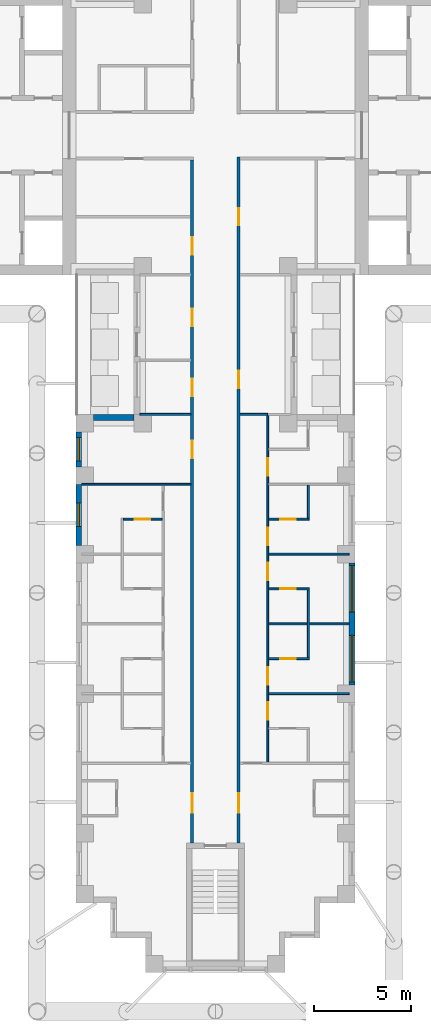
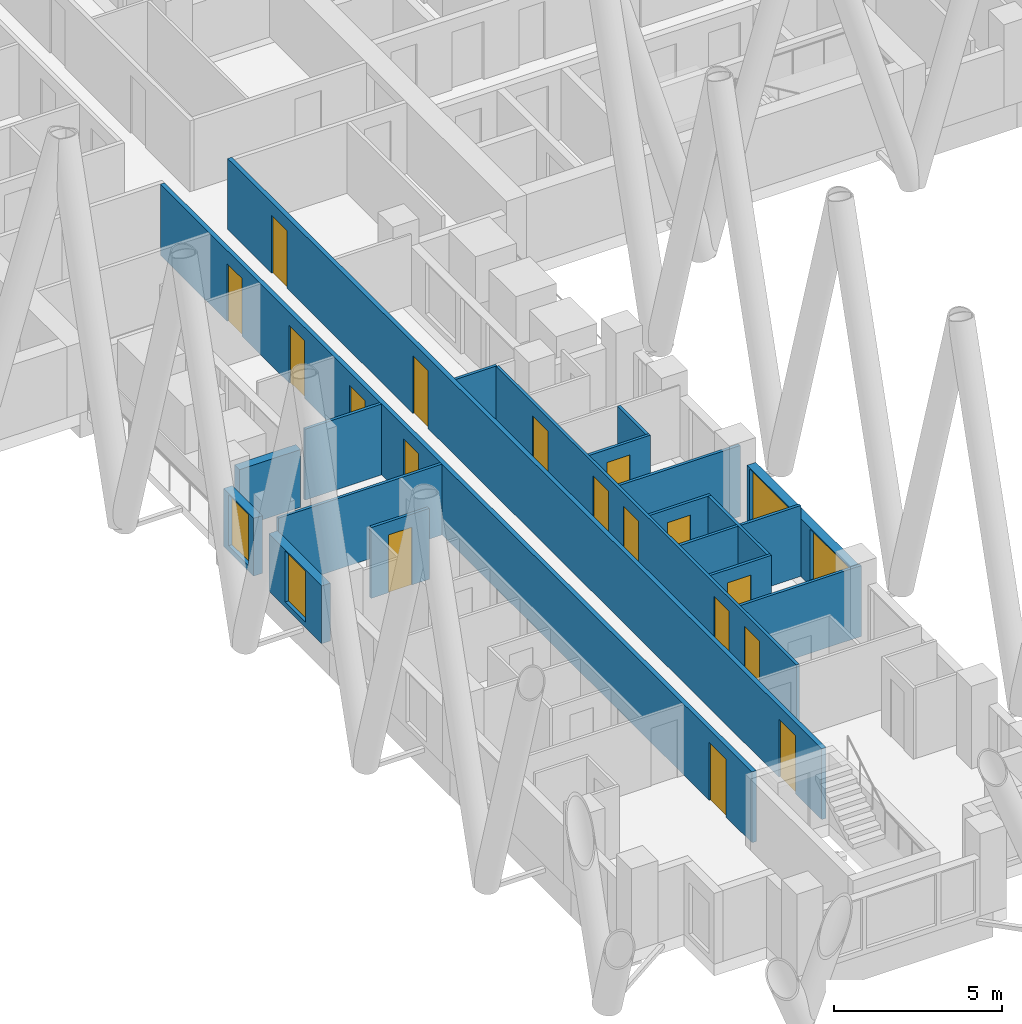
# One storey, part 5 of 16: 19 walls, 17 doors, 4 windows, 21 openings.
"""IFC4 building model written with IfcOpenShell, lengths in metres."""

from ifc_helpers import new_model, si_unit, direction, frame, frame_2d, origin, place, context, subcontext, project, spatial, rectangle, extrude, material, layer, layer_set, type_object, element, fill, save


model = new_model("IFC4")

# Units and contexts
model_context = context("Model", 3, precision=1e-05, world=origin(), true_north=direction((0.0, 1.0)))
body_context = subcontext(model_context, "Body", "Model", "MODEL_VIEW")
ifc_project = project(units=[si_unit("LENGTHUNIT", "METRE"), si_unit("AREAUNIT", "SQUARE_METRE"), si_unit("VOLUMEUNIT", "CUBIC_METRE"), si_unit("PLANEANGLEUNIT", "RADIAN"), si_unit("MASSUNIT", "GRAM", prefix="KILO")], contexts=[model_context])

# Site, building, storey
site_placement = place(None, origin())
site = spatial("IfcSite", under=ifc_project, at=site_placement, CompositionType="ELEMENT")
building_placement = place(site_placement, origin())
building = spatial("IfcBuilding", under=site, at=building_placement, Name="Fustian Cross Tower", CompositionType="ELEMENT")
storey_placement = place(building_placement, frame((0.0, 0.0, 20.699951171875)))
storey = spatial("IfcBuildingStorey", under=building, at=storey_placement, Name="L05", CompositionType="ELEMENT", Elevation=20.699951171875)

# Wall, openings, doors
ifc_material_1 = material(Name="Plasterboard on steel stud", Category="steel")
ifc_layer_1 = layer(ifc_material_1, 0.14990234375)
ifc_layer_set_1 = layer_set([ifc_layer_1], Name="Plasterboard on steel stud")
wall_type_1 = type_object("IfcWallType", Name="COMPARTMENT WALL 150 EI 60", PredefinedType="PARTITIONING", material=ifc_layer_set_1)
wall_1_placement = place(storey_placement, frame((-1.199951171875, -36.5, 0.0), z_axis=(0.0, 0.0, 1.0), x_axis=(0.0, 1.0, 0.0)))
wall_1 = element("IfcWall", 1, at=wall_1_placement, inside=storey, type_object=wall_type_1, Name="Partition 51", PredefinedType="PARTITIONING", context=body_context, shape_type="SweptSolid", body=[
    extrude(rectangle(XDim=35.22509765625, YDim=0.14990234375, at=frame_2d((17.612548828125, 0.0))), origin(), (0.0, 0.0, 1.0), 2.574951171875),
])
opening_1_placement = place(wall_1_placement, frame((30.35009765625, 0.0, 0.0)))
opening_1 = element("IfcOpeningElement", 2, at=opening_1_placement, cuts=wall_1, Name="Opening D05009", PredefinedType="OPENING", context=body_context, shape_type="SweptSolid", body=[
    extrude(rectangle(XDim=0.89990234375, YDim=2.10009765625, at=frame_2d((0.449951171875, 1.050048828125))), frame((0.0, 0.0849609375, 0.0), z_axis=(0.0, -1.0, 0.0), x_axis=(1.0, 0.0, 0.0)), (0.0, 0.0, 1.0), 0.169921875),
])
opening_2_placement = place(wall_1_placement, frame((23.050048828125, 0.0, 0.0)))
opening_2 = element("IfcOpeningElement", 3, at=opening_2_placement, cuts=wall_1, Name="Opening D05064", PredefinedType="OPENING", context=body_context, shape_type="SweptSolid", body=[
    extrude(rectangle(XDim=0.89990234375, YDim=2.10009765625, at=frame_2d((0.449951171875, 1.050048828125))), frame((0.0, 0.0849609375, 0.0), z_axis=(0.0, -1.0, 0.0), x_axis=(1.0, 0.0, 0.0)), (0.0, 0.0, 1.0), 0.169921875),
])
opening_3_placement = place(wall_1_placement, frame((26.64990234375, 0.0, 0.0)))
opening_3 = element("IfcOpeningElement", 4, at=opening_3_placement, cuts=wall_1, Name="Opening D05065", PredefinedType="OPENING", context=body_context, shape_type="SweptSolid", body=[
    extrude(rectangle(XDim=0.89990234375, YDim=2.10009765625, at=frame_2d((0.449951171875, 1.050048828125))), frame((0.0, 0.0849609375, 0.0), z_axis=(0.0, -1.0, 0.0), x_axis=(1.0, 0.0, 0.0)), (0.0, 0.0, 1.0), 0.169921875),
])
opening_4_placement = place(wall_1_placement, frame((19.85009765625, 0.0, 0.0)))
opening_4 = element("IfcOpeningElement", 5, at=opening_4_placement, cuts=wall_1, Name="Opening D05066", PredefinedType="OPENING", context=body_context, shape_type="SweptSolid", body=[
    extrude(rectangle(XDim=0.89990234375, YDim=2.10009765625, at=frame_2d((0.449951171875, 1.050048828125))), frame((0.0, 0.0849609375, 0.0), z_axis=(0.0, -1.0, 0.0), x_axis=(1.0, 0.0, 0.0)), (0.0, 0.0, 1.0), 0.169921875),
])
opening_5_placement = place(wall_1_placement, frame((1.550048828125, 0.0, 0.0)))
opening_5 = element("IfcOpeningElement", 6, at=opening_5_placement, cuts=wall_1, Name="Opening D05068", PredefinedType="OPENING", context=body_context, shape_type="SweptSolid", body=[
    extrude(rectangle(XDim=1.0, YDim=2.10009765625, at=frame_2d((0.5, 1.050048828125))), frame((0.0, 0.0849609375, 0.0), z_axis=(0.0, -1.0, 0.0), x_axis=(1.0, 0.0, 0.0)), (0.0, 0.0, 1.0), 0.169921875),
])
ifc_material_2 = material(Name="Timber fire door set", Category="wood")
door_type_1 = type_object("IfcDoorType", Name="FIRE SWING DOOR 1000 FD30S", OperationType="SINGLE_SWING_LEFT", PredefinedType="DOOR", material=ifc_material_2)
door_1_placement = place(opening_5_placement, origin())
door_1 = element("IfcDoor", 7, at=door_1_placement, inside=storey, type_object=door_type_1, Name="Door D05068", OperationType="SINGLE_SWING_RIGHT", OverallHeight=2.10009765625, OverallWidth=1.0, PredefinedType="DOOR", context=body_context, shape_type="SweptSolid", body=[
    extrude(rectangle(XDim=1.0, YDim=2.10009765625, at=frame_2d((0.5, 1.050048828125))), frame((0.0, 0.02490234375, 0.0), z_axis=(0.0, -1.0, 0.0), x_axis=(1.0, 0.0, 0.0)), (0.0, 0.0, 1.0), 0.050048828125),
])
fill(opening_5, door_1)
ifc_material_3 = material(Name="Timber fire door set", Category="wood")
door_type_2 = type_object("IfcDoorType", Name="FIRE SWING DOOR 900 FD30S", OperationType="SINGLE_SWING_LEFT", PredefinedType="DOOR", material=ifc_material_3)
door_2_placement = place(opening_1_placement, origin())
door_2 = element("IfcDoor", 8, at=door_2_placement, inside=storey, type_object=door_type_2, Name="Door D05009", OperationType="SINGLE_SWING_RIGHT", OverallHeight=2.10009765625, OverallWidth=0.89990234375, PredefinedType="DOOR", context=body_context, shape_type="SweptSolid", body=[
    extrude(rectangle(XDim=0.89990234375, YDim=2.10009765625, at=frame_2d((0.449951171875, 1.050048828125))), frame((0.0, 0.02490234375, 0.0), z_axis=(0.0, -1.0, 0.0), x_axis=(1.0, 0.0, 0.0)), (0.0, 0.0, 1.0), 0.050048828125),
])
fill(opening_1, door_2)
door_3_placement = place(opening_2_placement, origin())
door_3 = element("IfcDoor", 9, at=door_3_placement, inside=storey, type_object=door_type_2, Name="Door D05064", OperationType="SINGLE_SWING_LEFT", OverallHeight=2.10009765625, OverallWidth=0.89990234375, PredefinedType="DOOR", context=body_context, shape_type="SweptSolid", body=[
    extrude(rectangle(XDim=0.89990234375, YDim=2.10009765625, at=frame_2d((0.449951171875, 1.050048828125))), frame((0.0, 0.02490234375, 0.0), z_axis=(0.0, -1.0, 0.0), x_axis=(1.0, 0.0, 0.0)), (0.0, 0.0, 1.0), 0.050048828125),
])
fill(opening_2, door_3)
door_4_placement = place(opening_3_placement, origin())
door_4 = element("IfcDoor", 10, at=door_4_placement, inside=storey, type_object=door_type_2, Name="Door D05065", OperationType="SINGLE_SWING_LEFT", OverallHeight=2.10009765625, OverallWidth=0.89990234375, PredefinedType="DOOR", context=body_context, shape_type="SweptSolid", body=[
    extrude(rectangle(XDim=0.89990234375, YDim=2.10009765625, at=frame_2d((0.449951171875, 1.050048828125))), frame((0.0, 0.02490234375, 0.0), z_axis=(0.0, -1.0, 0.0), x_axis=(1.0, 0.0, 0.0)), (0.0, 0.0, 1.0), 0.050048828125),
])
fill(opening_3, door_4)
door_5_placement = place(opening_4_placement, origin())
door_5 = element("IfcDoor", 11, at=door_5_placement, inside=storey, type_object=door_type_2, Name="Door D05066", OperationType="SINGLE_SWING_LEFT", OverallHeight=2.10009765625, OverallWidth=0.89990234375, PredefinedType="DOOR", context=body_context, shape_type="SweptSolid", body=[
    extrude(rectangle(XDim=0.89990234375, YDim=2.10009765625, at=frame_2d((0.449951171875, 1.050048828125))), frame((0.0, 0.02490234375, 0.0), z_axis=(0.0, -1.0, 0.0), x_axis=(1.0, 0.0, 0.0)), (0.0, 0.0, 1.0), 0.050048828125),
])
fill(opening_4, door_5)

wall_2_placement = place(storey_placement, frame((1.199951171875, -36.5, 0.0), z_axis=(0.0, 0.0, 1.0), x_axis=(0.0, 1.0, 0.0)))
wall_2 = element("IfcWall", 12, at=wall_2_placement, inside=storey, type_object=wall_type_1, Name="Partition 53", PredefinedType="PARTITIONING", context=body_context, shape_type="SweptSolid", body=[
    extrude(rectangle(XDim=35.375, YDim=0.14990234375, at=frame_2d((17.6875, 0.0))), origin(), (0.0, 0.0, 1.0), 2.574951171875),
])
opening_6_placement = place(wall_2_placement, frame((31.85009765625, 0.0, 0.0)))
opening_6 = element("IfcOpeningElement", 13, at=opening_6_placement, cuts=wall_2, Name="Opening D05006", PredefinedType="OPENING", context=body_context, shape_type="SweptSolid", body=[
    extrude(rectangle(XDim=0.89990234375, YDim=2.10009765625, at=frame_2d((0.449951171875, 1.050048828125))), frame((0.0, 0.0849609375, 0.0), z_axis=(0.0, -1.0, 0.0), x_axis=(1.0, 0.0, 0.0)), (0.0, 0.0, 1.0), 0.169921875),
])
opening_7_placement = place(wall_2_placement, frame((23.449951171875, 0.0, 0.0)))
opening_7 = element("IfcOpeningElement", 14, at=opening_7_placement, cuts=wall_2, Name="Opening D05050", PredefinedType="OPENING", context=body_context, shape_type="SweptSolid", body=[
    extrude(rectangle(XDim=0.89990234375, YDim=2.10009765625, at=frame_2d((0.449951171875, 1.050048828125))), frame((0.0, 0.0849609375, 0.0), z_axis=(0.0, -1.0, 0.0), x_axis=(1.0, 0.0, 0.0)), (0.0, 0.0, 1.0), 0.169921875),
])
opening_8_placement = place(wall_2_placement, frame((1.550048828125, 0.0, 0.0)))
opening_8 = element("IfcOpeningElement", 15, at=opening_8_placement, cuts=wall_2, Name="Opening D05052", PredefinedType="OPENING", context=body_context, shape_type="SweptSolid", body=[
    extrude(rectangle(XDim=1.0, YDim=2.10009765625, at=frame_2d((0.5, 1.050048828125))), frame((0.0, 0.0849609375, 0.0), z_axis=(0.0, -1.0, 0.0), x_axis=(1.0, 0.0, 0.0)), (0.0, 0.0, 1.0), 0.169921875),
])
door_6_placement = place(opening_8_placement, frame((1.0, 0.0, 0.0), z_axis=(0.0, 0.0, 1.0), x_axis=(-1.0, 0.0, 0.0)))
door_6 = element("IfcDoor", 16, at=door_6_placement, inside=storey, type_object=door_type_1, Name="Door D05052", OperationType="SINGLE_SWING_LEFT", OverallHeight=2.10009765625, OverallWidth=1.0, PredefinedType="DOOR", context=body_context, shape_type="SweptSolid", body=[
    extrude(rectangle(XDim=1.0, YDim=2.10009765625, at=frame_2d((0.5, 1.050048828125))), frame((0.0, 0.02490234375, 0.0), z_axis=(0.0, -1.0, 0.0), x_axis=(1.0, 0.0, 0.0)), (0.0, 0.0, 1.0), 0.050048828125),
])
fill(opening_8, door_6)
door_7_placement = place(opening_6_placement, frame((0.89990234375, 0.0, 0.0), z_axis=(0.0, 0.0, 1.0), x_axis=(-1.0, 0.0, 0.0)))
door_7 = element("IfcDoor", 17, at=door_7_placement, inside=storey, type_object=door_type_2, Name="Door D05006", OperationType="SINGLE_SWING_RIGHT", OverallHeight=2.10009765625, OverallWidth=0.89990234375, PredefinedType="DOOR", context=body_context, shape_type="SweptSolid", body=[
    extrude(rectangle(XDim=0.89990234375, YDim=2.10009765625, at=frame_2d((0.449951171875, 1.050048828125))), frame((0.0, 0.02490234375, 0.0), z_axis=(0.0, -1.0, 0.0), x_axis=(1.0, 0.0, 0.0)), (0.0, 0.0, 1.0), 0.050048828125),
])
fill(opening_6, door_7)
door_8_placement = place(opening_7_placement, frame((0.89990234375, 0.0, 0.0), z_axis=(0.0, 0.0, 1.0), x_axis=(-1.0, 0.0, 0.0)))
door_8 = element("IfcDoor", 18, at=door_8_placement, inside=storey, type_object=door_type_2, Name="Door D05050", OperationType="SINGLE_SWING_RIGHT", OverallHeight=2.10009765625, OverallWidth=0.89990234375, PredefinedType="DOOR", context=body_context, shape_type="SweptSolid", body=[
    extrude(rectangle(XDim=0.89990234375, YDim=2.10009765625, at=frame_2d((0.449951171875, 1.050048828125))), frame((0.0, 0.02490234375, 0.0), z_axis=(0.0, -1.0, 0.0), x_axis=(1.0, 0.0, 0.0)), (0.0, 0.0, 1.0), 0.050048828125),
])
fill(opening_7, door_8)

# Wall
ifc_material_4 = material(Name="Plasterboard on steel stud", Category="steel")
ifc_layer_2 = layer(ifc_material_4, 0.10009765625)
ifc_layer_set_2 = layer_set([ifc_layer_2], Name="Plasterboard on steel stud")
wall_type_2 = type_object("IfcWallType", Name="PARTITION 100 STUD", PredefinedType="PARTITIONING", material=ifc_layer_set_2)
wall_3_placement = place(storey_placement, frame((-6.89990234375, -18.0, 0.0), z_axis=(0.0, 0.0, 1.0), x_axis=(1.0, 0.0, 0.0)))
element("IfcWall", 19, at=wall_3_placement, inside=storey, type_object=wall_type_2, Name="Partition 23", PredefinedType="PARTITIONING", context=body_context, shape_type="SweptSolid", body=[
    extrude(rectangle(XDim=5.625, YDim=0.10009765625, at=frame_2d((2.8125, 0.0))), origin(), (0.0, 0.0, 1.0), 2.574951171875),
])

# Wall, opening, door
wall_4_placement = place(storey_placement, frame((-4.75, -19.800048828125, 0.0), z_axis=(0.0, 0.0, 1.0), x_axis=(1.0, 0.0, 0.0)))
wall_4 = element("IfcWall", 20, at=wall_4_placement, inside=storey, type_object=wall_type_2, Name="Partition 38", PredefinedType="PARTITIONING", context=body_context, shape_type="SweptSolid", body=[
    extrude(rectangle(XDim=2.0, YDim=0.10009765625, at=frame_2d((1.0, 0.0))), origin(), (0.0, 0.0, 1.0), 2.574951171875),
])
opening_9_placement = place(wall_4_placement, frame((0.60009765625, 0.0, 0.0)))
opening_9 = element("IfcOpeningElement", 21, at=opening_9_placement, cuts=wall_4, Name="Opening D05074", PredefinedType="OPENING", context=body_context, shape_type="SweptSolid", body=[
    extrude(rectangle(XDim=0.800048828125, YDim=2.10009765625, at=frame_2d((0.39990234375, 1.050048828125))), frame((0.0, 0.06005859375, 0.0), z_axis=(0.0, -1.0, 0.0), x_axis=(1.0, 0.0, 0.0)), (0.0, 0.0, 1.0), 0.1201171875),
])
ifc_material_5 = material(Name="Painted timber", Category="wood")
door_type_3 = type_object("IfcDoorType", Name="SWING DOOR 800", OperationType="SINGLE_SWING_LEFT", PredefinedType="DOOR", material=ifc_material_5)
door_9_placement = place(opening_9_placement, frame((0.800048828125, 0.0, 0.0), z_axis=(0.0, 0.0, 1.0), x_axis=(-1.0, 0.0, 0.0)))
door_9 = element("IfcDoor", 22, at=door_9_placement, inside=storey, type_object=door_type_3, Name="Door D05074", OperationType="SINGLE_SWING_RIGHT", OverallHeight=2.10009765625, OverallWidth=0.800048828125, PredefinedType="DOOR", context=body_context, shape_type="SweptSolid", body=[
    extrude(rectangle(XDim=0.800048828125, YDim=2.10009765625, at=frame_2d((0.39990234375, 1.050048828125))), frame((0.0, 0.02490234375, 0.0), z_axis=(0.0, -1.0, 0.0), x_axis=(1.0, 0.0, 0.0)), (0.0, 0.0, 1.0), 0.050048828125),
])
fill(opening_9, door_9)

# Walls
wall_5_placement = place(storey_placement, frame((-3.89990234375, -14.39990234375, 0.0), z_axis=(0.0, 0.0, 1.0), x_axis=(1.0, 0.0, 0.0)))
element("IfcWall", 23, at=wall_5_placement, inside=storey, type_object=wall_type_2, Name="Partition 42", PredefinedType="PARTITIONING", context=body_context, shape_type="SweptSolid", body=[
    extrude(rectangle(XDim=2.625, YDim=0.10009765625, at=frame_2d((1.3125, 0.0))), origin(), (0.0, 0.0, 1.0), 2.574951171875),
])
wall_6_placement = place(storey_placement, frame((1.27490234375, -14.39990234375, 0.0), z_axis=(0.0, 0.0, 1.0), x_axis=(1.0, 0.0, 0.0)))
element("IfcWall", 24, at=wall_6_placement, inside=storey, type_object=wall_type_2, Name="Partition 55", PredefinedType="PARTITIONING", context=body_context, shape_type="SweptSolid", body=[
    extrude(rectangle(XDim=1.425048828125, YDim=0.10009765625, at=frame_2d((0.71240234375, 0.0))), origin(), (0.0, 0.0, 1.0), 2.574951171875),
])

# Wall, openings, doors
wall_7_placement = place(storey_placement, frame((2.699951171875, -32.35009765625, 0.0), z_axis=(0.0, 0.0, 1.0), x_axis=(0.0, 1.0, 0.0)))
wall_7 = element("IfcWall", 25, at=wall_7_placement, inside=storey, type_object=wall_type_2, Name="Partition 64", PredefinedType="PARTITIONING", context=body_context, shape_type="SweptSolid", body=[
    extrude(rectangle(XDim=17.8876953125, YDim=0.10009765625, at=frame_2d((8.94384765625, 0.0))), origin(), (0.0, 0.0, 1.0), 2.574951171875),
])
opening_10_placement = place(wall_7_placement, frame((2.199951171875, 0.0, 0.0)))
opening_10 = element("IfcOpeningElement", 26, at=opening_10_placement, cuts=wall_7, Name="Opening D05054", PredefinedType="OPENING", context=body_context, shape_type="SweptSolid", body=[
    extrude(rectangle(XDim=0.89990234375, YDim=2.10009765625, at=frame_2d((0.449951171875, 1.050048828125))), frame((0.0, 0.06005859375, 0.0), z_axis=(0.0, -1.0, 0.0), x_axis=(1.0, 0.0, 0.0)), (0.0, 0.0, 1.0), 0.1201171875),
])
opening_11_placement = place(wall_7_placement, frame((4.0, 0.0, 0.0)))
opening_11 = element("IfcOpeningElement", 27, at=opening_11_placement, cuts=wall_7, Name="Opening D05055", PredefinedType="OPENING", context=body_context, shape_type="SweptSolid", body=[
    extrude(rectangle(XDim=0.89990234375, YDim=2.10009765625, at=frame_2d((0.449951171875, 1.050048828125))), frame((0.0, 0.06005859375, 0.0), z_axis=(0.0, -1.0, 0.0), x_axis=(1.0, 0.0, 0.0)), (0.0, 0.0, 1.0), 0.1201171875),
])
opening_12_placement = place(wall_7_placement, frame((9.39990234375, 0.0, 0.0)))
opening_12 = element("IfcOpeningElement", 28, at=opening_12_placement, cuts=wall_7, Name="Opening D05056", PredefinedType="OPENING", context=body_context, shape_type="SweptSolid", body=[
    extrude(rectangle(XDim=0.89990234375, YDim=2.10009765625, at=frame_2d((0.449951171875, 1.050048828125))), frame((0.0, 0.06005859375, 0.0), z_axis=(0.0, -1.0, 0.0), x_axis=(1.0, 0.0, 0.0)), (0.0, 0.0, 1.0), 0.1201171875),
])
opening_13_placement = place(wall_7_placement, frame((11.199951171875, 0.0, 0.0)))
opening_13 = element("IfcOpeningElement", 29, at=opening_13_placement, cuts=wall_7, Name="Opening D05057", PredefinedType="OPENING", context=body_context, shape_type="SweptSolid", body=[
    extrude(rectangle(XDim=0.89990234375, YDim=2.10009765625, at=frame_2d((0.449951171875, 1.050048828125))), frame((0.0, 0.06005859375, 0.0), z_axis=(0.0, -1.0, 0.0), x_axis=(1.0, 0.0, 0.0)), (0.0, 0.0, 1.0), 0.1201171875),
])
opening_14_placement = place(wall_7_placement, frame((14.800048828125, 0.0, 0.0)))
opening_14 = element("IfcOpeningElement", 30, at=opening_14_placement, cuts=wall_7, Name="Opening D05058", PredefinedType="OPENING", context=body_context, shape_type="SweptSolid", body=[
    extrude(rectangle(XDim=0.89990234375, YDim=2.10009765625, at=frame_2d((0.449951171875, 1.050048828125))), frame((0.0, 0.06005859375, 0.0), z_axis=(0.0, -1.0, 0.0), x_axis=(1.0, 0.0, 0.0)), (0.0, 0.0, 1.0), 0.1201171875),
])
ifc_material_6 = material(Name="Painted timber", Category="wood")
door_type_4 = type_object("IfcDoorType", Name="SWING DOOR 900", OperationType="SINGLE_SWING_LEFT", PredefinedType="DOOR", material=ifc_material_6)
door_10_placement = place(opening_10_placement, frame((0.89990234375, 0.0, 0.0), z_axis=(0.0, 0.0, 1.0), x_axis=(-1.0, 0.0, 0.0)))
door_10 = element("IfcDoor", 31, at=door_10_placement, inside=storey, type_object=door_type_4, Name="Door D05054", OperationType="SINGLE_SWING_RIGHT", OverallHeight=2.10009765625, OverallWidth=0.89990234375, PredefinedType="DOOR", context=body_context, shape_type="SweptSolid", body=[
    extrude(rectangle(XDim=0.89990234375, YDim=2.10009765625, at=frame_2d((0.449951171875, 1.050048828125))), frame((0.0, 0.02490234375, 0.0), z_axis=(0.0, -1.0, 0.0), x_axis=(1.0, 0.0, 0.0)), (0.0, 0.0, 1.0), 0.050048828125),
])
fill(opening_10, door_10)
door_11_placement = place(opening_11_placement, frame((0.89990234375, 0.0, 0.0), z_axis=(0.0, 0.0, 1.0), x_axis=(-1.0, 0.0, 0.0)))
door_11 = element("IfcDoor", 32, at=door_11_placement, inside=storey, type_object=door_type_4, Name="Door D05055", OperationType="SINGLE_SWING_RIGHT", OverallHeight=2.10009765625, OverallWidth=0.89990234375, PredefinedType="DOOR", context=body_context, shape_type="SweptSolid", body=[
    extrude(rectangle(XDim=0.89990234375, YDim=2.10009765625, at=frame_2d((0.449951171875, 1.050048828125))), frame((0.0, 0.02490234375, 0.0), z_axis=(0.0, -1.0, 0.0), x_axis=(1.0, 0.0, 0.0)), (0.0, 0.0, 1.0), 0.050048828125),
])
fill(opening_11, door_11)
door_12_placement = place(opening_12_placement, frame((0.89990234375, 0.0, 0.0), z_axis=(0.0, 0.0, 1.0), x_axis=(-1.0, 0.0, 0.0)))
door_12 = element("IfcDoor", 33, at=door_12_placement, inside=storey, type_object=door_type_4, Name="Door D05056", OperationType="SINGLE_SWING_RIGHT", OverallHeight=2.10009765625, OverallWidth=0.89990234375, PredefinedType="DOOR", context=body_context, shape_type="SweptSolid", body=[
    extrude(rectangle(XDim=0.89990234375, YDim=2.10009765625, at=frame_2d((0.449951171875, 1.050048828125))), frame((0.0, 0.02490234375, 0.0), z_axis=(0.0, -1.0, 0.0), x_axis=(1.0, 0.0, 0.0)), (0.0, 0.0, 1.0), 0.050048828125),
])
fill(opening_12, door_12)
door_13_placement = place(opening_13_placement, frame((0.89990234375, 0.0, 0.0), z_axis=(0.0, 0.0, 1.0), x_axis=(-1.0, 0.0, 0.0)))
door_13 = element("IfcDoor", 34, at=door_13_placement, inside=storey, type_object=door_type_4, Name="Door D05057", OperationType="SINGLE_SWING_RIGHT", OverallHeight=2.10009765625, OverallWidth=0.89990234375, PredefinedType="DOOR", context=body_context, shape_type="SweptSolid", body=[
    extrude(rectangle(XDim=0.89990234375, YDim=2.10009765625, at=frame_2d((0.449951171875, 1.050048828125))), frame((0.0, 0.02490234375, 0.0), z_axis=(0.0, -1.0, 0.0), x_axis=(1.0, 0.0, 0.0)), (0.0, 0.0, 1.0), 0.050048828125),
])
fill(opening_13, door_13)
door_14_placement = place(opening_14_placement, frame((0.89990234375, 0.0, 0.0), z_axis=(0.0, 0.0, 1.0), x_axis=(-1.0, 0.0, 0.0)))
door_14 = element("IfcDoor", 35, at=door_14_placement, inside=storey, type_object=door_type_4, Name="Door D05058", OperationType="SINGLE_SWING_RIGHT", OverallHeight=2.10009765625, OverallWidth=0.89990234375, PredefinedType="DOOR", context=body_context, shape_type="SweptSolid", body=[
    extrude(rectangle(XDim=0.89990234375, YDim=2.10009765625, at=frame_2d((0.449951171875, 1.050048828125))), frame((0.0, 0.02490234375, 0.0), z_axis=(0.0, -1.0, 0.0), x_axis=(1.0, 0.0, 0.0)), (0.0, 0.0, 1.0), 0.050048828125),
])
fill(opening_14, door_14)

# Wall
wall_8_placement = place(storey_placement, frame((2.75, -28.800048828125, 0.0), z_axis=(0.0, 0.0, 1.0), x_axis=(1.0, 0.0, 0.0)))
element("IfcWall", 36, at=wall_8_placement, inside=storey, type_object=wall_type_2, Name="Partition 66", PredefinedType="PARTITIONING", context=body_context, shape_type="SweptSolid", body=[
    extrude(rectangle(XDim=4.14990234375, YDim=0.10009765625, at=frame_2d((2.074951171875, 0.0))), origin(), (0.0, 0.0, 1.0), 2.574951171875),
])

# Wall, opening, door
wall_9_placement = place(storey_placement, frame((2.75, -27.0, 0.0), z_axis=(0.0, 0.0, 1.0), x_axis=(1.0, 0.0, 0.0)))
wall_9 = element("IfcWall", 37, at=wall_9_placement, inside=storey, type_object=wall_type_2, Name="Partition 67", PredefinedType="PARTITIONING", context=body_context, shape_type="SweptSolid", body=[
    extrude(rectangle(XDim=2.10009765625, YDim=0.10009765625, at=frame_2d((1.050048828125, 0.0))), origin(), (0.0, 0.0, 1.0), 2.574951171875),
])
opening_15_placement = place(wall_9_placement, frame((0.60009765625, 0.0, 0.0)))
opening_15 = element("IfcOpeningElement", 38, at=opening_15_placement, cuts=wall_9, Name="Opening D05062", PredefinedType="OPENING", context=body_context, shape_type="SweptSolid", body=[
    extrude(rectangle(XDim=0.800048828125, YDim=2.10009765625, at=frame_2d((0.39990234375, 1.050048828125))), frame((0.0, 0.06005859375, 0.0), z_axis=(0.0, -1.0, 0.0), x_axis=(1.0, 0.0, 0.0)), (0.0, 0.0, 1.0), 0.1201171875),
])
door_15_placement = place(opening_15_placement, origin())
door_15 = element("IfcDoor", 39, at=door_15_placement, inside=storey, type_object=door_type_3, Name="Door D05062", OperationType="SINGLE_SWING_LEFT", OverallHeight=2.10009765625, OverallWidth=0.800048828125, PredefinedType="DOOR", context=body_context, shape_type="SweptSolid", body=[
    extrude(rectangle(XDim=0.800048828125, YDim=2.10009765625, at=frame_2d((0.39990234375, 1.050048828125))), frame((0.0, 0.02490234375, 0.0), z_axis=(0.0, -1.0, 0.0), x_axis=(1.0, 0.0, 0.0)), (0.0, 0.0, 1.0), 0.050048828125),
])
fill(opening_15, door_15)

# Wall
wall_10_placement = place(storey_placement, frame((2.75, -25.199951171875, 0.0), z_axis=(0.0, 0.0, 1.0), x_axis=(1.0, 0.0, 0.0)))
element("IfcWall", 40, at=wall_10_placement, inside=storey, type_object=wall_type_2, Name="Partition 68", PredefinedType="PARTITIONING", context=body_context, shape_type="SweptSolid", body=[
    extrude(rectangle(XDim=4.14990234375, YDim=0.10009765625, at=frame_2d((2.074951171875, 0.0))), origin(), (0.0, 0.0, 1.0), 2.574951171875),
])

# Wall, opening, door
wall_11_placement = place(storey_placement, frame((2.75, -23.39990234375, 0.0), z_axis=(0.0, 0.0, 1.0), x_axis=(1.0, 0.0, 0.0)))
wall_11 = element("IfcWall", 41, at=wall_11_placement, inside=storey, type_object=wall_type_2, Name="Partition 69", PredefinedType="PARTITIONING", context=body_context, shape_type="SweptSolid", body=[
    extrude(rectangle(XDim=2.10009765625, YDim=0.10009765625, at=frame_2d((1.050048828125, 0.0))), origin(), (0.0, 0.0, 1.0), 2.574951171875),
])
opening_16_placement = place(wall_11_placement, frame((0.60009765625, 0.0, 0.0)))
opening_16 = element("IfcOpeningElement", 42, at=opening_16_placement, cuts=wall_11, Name="Opening D05061", PredefinedType="OPENING", context=body_context, shape_type="SweptSolid", body=[
    extrude(rectangle(XDim=0.800048828125, YDim=2.10009765625, at=frame_2d((0.39990234375, 1.050048828125))), frame((0.0, 0.06005859375, 0.0), z_axis=(0.0, -1.0, 0.0), x_axis=(1.0, 0.0, 0.0)), (0.0, 0.0, 1.0), 0.1201171875),
])
door_16_placement = place(opening_16_placement, frame((0.800048828125, 0.0, 0.0), z_axis=(0.0, 0.0, 1.0), x_axis=(-1.0, 0.0, 0.0)))
door_16 = element("IfcDoor", 43, at=door_16_placement, inside=storey, type_object=door_type_3, Name="Door D05061", OperationType="SINGLE_SWING_RIGHT", OverallHeight=2.10009765625, OverallWidth=0.800048828125, PredefinedType="DOOR", context=body_context, shape_type="SweptSolid", body=[
    extrude(rectangle(XDim=0.800048828125, YDim=2.10009765625, at=frame_2d((0.39990234375, 1.050048828125))), frame((0.0, 0.02490234375, 0.0), z_axis=(0.0, -1.0, 0.0), x_axis=(1.0, 0.0, 0.0)), (0.0, 0.0, 1.0), 0.050048828125),
])
fill(opening_16, door_16)

# Wall
wall_12_placement = place(storey_placement, frame((2.75, -21.60009765625, 0.0), z_axis=(0.0, 0.0, 1.0), x_axis=(1.0, 0.0, 0.0)))
element("IfcWall", 44, at=wall_12_placement, inside=storey, type_object=wall_type_2, Name="Partition 70", PredefinedType="PARTITIONING", context=body_context, shape_type="SweptSolid", body=[
    extrude(rectangle(XDim=4.14990234375, YDim=0.10009765625, at=frame_2d((2.074951171875, 0.0))), origin(), (0.0, 0.0, 1.0), 2.574951171875),
])

# Wall, opening, door
wall_13_placement = place(storey_placement, frame((2.75, -19.800048828125, 0.0), z_axis=(0.0, 0.0, 1.0), x_axis=(1.0, 0.0, 0.0)))
wall_13 = element("IfcWall", 45, at=wall_13_placement, inside=storey, type_object=wall_type_2, Name="Partition 71", PredefinedType="PARTITIONING", context=body_context, shape_type="SweptSolid", body=[
    extrude(rectangle(XDim=2.10009765625, YDim=0.10009765625, at=frame_2d((1.050048828125, 0.0))), origin(), (0.0, 0.0, 1.0), 2.574951171875),
])
opening_17_placement = place(wall_13_placement, frame((0.60009765625, 0.0, 0.0)))
opening_17 = element("IfcOpeningElement", 46, at=opening_17_placement, cuts=wall_13, Name="Opening D05060", PredefinedType="OPENING", context=body_context, shape_type="SweptSolid", body=[
    extrude(rectangle(XDim=0.800048828125, YDim=2.10009765625, at=frame_2d((0.39990234375, 1.050048828125))), frame((0.0, 0.06005859375, 0.0), z_axis=(0.0, -1.0, 0.0), x_axis=(1.0, 0.0, 0.0)), (0.0, 0.0, 1.0), 0.1201171875),
])
door_17_placement = place(opening_17_placement, origin())
door_17 = element("IfcDoor", 47, at=door_17_placement, inside=storey, type_object=door_type_3, Name="Door D05060", OperationType="SINGLE_SWING_LEFT", OverallHeight=2.10009765625, OverallWidth=0.800048828125, PredefinedType="DOOR", context=body_context, shape_type="SweptSolid", body=[
    extrude(rectangle(XDim=0.800048828125, YDim=2.10009765625, at=frame_2d((0.39990234375, 1.050048828125))), frame((0.0, 0.02490234375, 0.0), z_axis=(0.0, -1.0, 0.0), x_axis=(1.0, 0.0, 0.0)), (0.0, 0.0, 1.0), 0.050048828125),
])
fill(opening_17, door_17)

# Walls
wall_14_placement = place(storey_placement, frame((4.800048828125, -26.949951171875, 0.0), z_axis=(0.0, 0.0, 1.0), x_axis=(0.0, 1.0, 0.0)))
element("IfcWall", 48, at=wall_14_placement, inside=storey, type_object=wall_type_2, Name="Partition 81", PredefinedType="PARTITIONING", context=body_context, shape_type="SweptSolid", body=[
    extrude(rectangle(XDim=3.5, YDim=0.10009765625, at=frame_2d((1.75, 0.0))), origin(), (0.0, 0.0, 1.0), 2.574951171875),
])
wall_15_placement = place(storey_placement, frame((4.800048828125, -19.75, 0.0), z_axis=(0.0, 0.0, 1.0), x_axis=(0.0, 1.0, 0.0)))
element("IfcWall", 49, at=wall_15_placement, inside=storey, type_object=wall_type_2, Name="Partition 82", PredefinedType="PARTITIONING", context=body_context, shape_type="SweptSolid", body=[
    extrude(rectangle(XDim=1.699951171875, YDim=0.10009765625, at=frame_2d((0.85009765625, 0.0))), origin(), (0.0, 0.0, 1.0), 2.574951171875),
])
ifc_material_7 = material(Name="Dark aluminium cladding on insulated backing wall", Category="aluminium")
ifc_layer_3 = layer(ifc_material_7, 0.300048828125)
ifc_layer_set_3 = layer_set([ifc_layer_3], Name="Dark aluminium cladding on insulated backing wall")
wall_type_3 = type_object("IfcWallType", Name="XW1 EXTERNAL WALL 300", PredefinedType="SOLIDWALL", material=ifc_layer_set_3)
wall_16_placement = place(storey_placement, frame((-4.199951171875, -14.550048828125, 0.0), z_axis=(0.0, 0.0, 1.0), x_axis=(-1.0, 0.0, 0.0)))
element("IfcWall", 50, at=wall_16_placement, inside=storey, type_object=wall_type_3, Name="External wall", PredefinedType="SOLIDWALL", context=body_context, shape_type="SweptSolid", body=[
    extrude(rectangle(XDim=2.10009765625, YDim=0.300048828125, at=frame_2d((1.050048828125, 0.0))), origin(), (0.0, 0.0, 1.0), 2.10009765625),
])

# Wall, opening, window
wall_17_placement = place(storey_placement, frame((-7.050048828125, -15.300048828125, 0.0), z_axis=(0.0, 0.0, 1.0), x_axis=(0.0, -1.0, 0.0)))
wall_17 = element("IfcWall", 51, at=wall_17_placement, inside=storey, type_object=wall_type_3, Name="External wall", PredefinedType="SOLIDWALL", context=body_context, shape_type="SweptSolid", body=[
    extrude(rectangle(XDim=1.800048828125, YDim=0.300048828125, at=frame_2d((0.89990234375, 0.0))), origin(), (0.0, 0.0, 1.0), 2.10009765625),
])
opening_18_placement = place(wall_17_placement, frame((0.300048828125, 0.0, 0.199951171875)))
opening_18 = element("IfcOpeningElement", 52, at=opening_18_placement, cuts=wall_17, Name="Opening WN3", PredefinedType="OPENING", context=body_context, shape_type="SweptSolid", body=[
    extrude(rectangle(XDim=1.199951171875, YDim=1.85009765625, at=frame_2d((0.60009765625, 0.925048828125))), frame((0.0, 0.159912109375, 0.0), z_axis=(0.0, -1.0, 0.0), x_axis=(1.0, 0.0, 0.0)), (0.0, 0.0, 1.0), 0.320068359375),
])
ifc_material_8 = material(Name="Dark anodised aluminium and double glazing", Category="aluminium")
window_type_1 = type_object("IfcWindowType", Name="WN3 WINDOW 1200X1850", PartitioningType="SINGLE_PANEL", PredefinedType="WINDOW", material=ifc_material_8)
window_1_placement = place(opening_18_placement, origin())
window_1 = element("IfcWindow", 53, at=window_1_placement, inside=storey, type_object=window_type_1, Name="Window", OverallHeight=1.85009765625, OverallWidth=1.199951171875, PartitioningType="SINGLE_PANEL", PredefinedType="WINDOW", context=body_context, shape_type="SweptSolid", body=[
    extrude(rectangle(XDim=1.199951171875, YDim=1.85009765625, at=frame_2d((0.60009765625, 0.925048828125))), frame((0.0, 0.030029296875, 0.0), z_axis=(0.0, -1.0, 0.0), x_axis=(1.0, 0.0, 0.0)), (0.0, 0.0, 1.0), 0.06005859375),
])
fill(opening_18, window_1)

wall_18_placement = place(storey_placement, frame((-7.050048828125, -18.0, 0.0), z_axis=(0.0, 0.0, 1.0), x_axis=(0.0, -1.0, 0.0)))
wall_18 = element("IfcWall", 54, at=wall_18_placement, inside=storey, type_object=wall_type_3, Name="External wall", PredefinedType="SOLIDWALL", context=body_context, shape_type="SweptSolid", body=[
    extrude(rectangle(XDim=3.14990234375, YDim=0.300048828125, at=frame_2d((1.574951171875, 0.0))), origin(), (0.0, 0.0, 1.0), 2.10009765625),
])
opening_19_placement = place(wall_18_placement, frame((0.97509765625, 0.0, 0.199951171875)))
opening_19 = element("IfcOpeningElement", 55, at=opening_19_placement, cuts=wall_18, Name="Opening WN3", PredefinedType="OPENING", context=body_context, shape_type="SweptSolid", body=[
    extrude(rectangle(XDim=1.199951171875, YDim=1.85009765625, at=frame_2d((0.60009765625, 0.925048828125))), frame((0.0, 0.159912109375, 0.0), z_axis=(0.0, -1.0, 0.0), x_axis=(1.0, 0.0, 0.0)), (0.0, 0.0, 1.0), 0.320068359375),
])
window_2_placement = place(opening_19_placement, origin())
window_2 = element("IfcWindow", 56, at=window_2_placement, inside=storey, type_object=window_type_1, Name="Window", OverallHeight=1.85009765625, OverallWidth=1.199951171875, PartitioningType="SINGLE_PANEL", PredefinedType="WINDOW", context=body_context, shape_type="SweptSolid", body=[
    extrude(rectangle(XDim=1.199951171875, YDim=1.85009765625, at=frame_2d((0.60009765625, 0.925048828125))), frame((0.0, 0.030029296875, 0.0), z_axis=(0.0, -1.0, 0.0), x_axis=(1.0, 0.0, 0.0)), (0.0, 0.0, 1.0), 0.06005859375),
])
fill(opening_19, window_2)

# Wall, openings, windows
wall_19_placement = place(storey_placement, frame((7.050048828125, -28.35009765625, 0.0), z_axis=(0.0, 0.0, 1.0), x_axis=(0.0, 1.0, 0.0)))
wall_19 = element("IfcWall", 57, at=wall_19_placement, inside=storey, type_object=wall_type_3, Name="External wall", PredefinedType="SOLIDWALL", context=body_context, shape_type="SweptSolid", body=[
    extrude(rectangle(XDim=6.300048828125, YDim=0.300048828125, at=frame_2d((3.14990234375, 0.0))), origin(), (0.0, 0.0, 1.0), 2.10009765625),
])
opening_20_placement = place(wall_19_placement, frame((0.14990234375, 0.0, 0.199951171875)))
opening_20 = element("IfcOpeningElement", 58, at=opening_20_placement, cuts=wall_19, Name="Opening WN1", PredefinedType="OPENING", context=body_context, shape_type="SweptSolid", body=[
    extrude(rectangle(XDim=2.39990234375, YDim=1.85009765625, at=frame_2d((1.199951171875, 0.925048828125))), frame((0.0, 0.159912109375, 0.0), z_axis=(0.0, -1.0, 0.0), x_axis=(1.0, 0.0, 0.0)), (0.0, 0.0, 1.0), 0.320068359375),
])
opening_21_placement = place(wall_19_placement, frame((3.75, 0.0, 0.199951171875)))
opening_21 = element("IfcOpeningElement", 59, at=opening_21_placement, cuts=wall_19, Name="Opening WN1", PredefinedType="OPENING", context=body_context, shape_type="SweptSolid", body=[
    extrude(rectangle(XDim=2.39990234375, YDim=1.85009765625, at=frame_2d((1.199951171875, 0.925048828125))), frame((0.0, 0.159912109375, 0.0), z_axis=(0.0, -1.0, 0.0), x_axis=(1.0, 0.0, 0.0)), (0.0, 0.0, 1.0), 0.320068359375),
])
ifc_material_9 = material(Name="Dark anodised aluminium and double glazing", Category="aluminium")
window_type_2 = type_object("IfcWindowType", Name="WN1 WINDOW 2400X1850", PartitioningType="SINGLE_PANEL", PredefinedType="WINDOW", material=ifc_material_9)
window_3_placement = place(opening_20_placement, origin())
window_3 = element("IfcWindow", 60, at=window_3_placement, inside=storey, type_object=window_type_2, Name="Window", OverallHeight=1.85009765625, OverallWidth=2.39990234375, PartitioningType="SINGLE_PANEL", PredefinedType="WINDOW", context=body_context, shape_type="SweptSolid", body=[
    extrude(rectangle(XDim=2.39990234375, YDim=1.85009765625, at=frame_2d((1.199951171875, 0.925048828125))), frame((0.0, 0.030029296875, 0.0), z_axis=(0.0, -1.0, 0.0), x_axis=(1.0, 0.0, 0.0)), (0.0, 0.0, 1.0), 0.06005859375),
])
fill(opening_20, window_3)
window_4_placement = place(opening_21_placement, origin())
window_4 = element("IfcWindow", 61, at=window_4_placement, inside=storey, type_object=window_type_2, Name="Window", OverallHeight=1.85009765625, OverallWidth=2.39990234375, PartitioningType="SINGLE_PANEL", PredefinedType="WINDOW", context=body_context, shape_type="SweptSolid", body=[
    extrude(rectangle(XDim=2.39990234375, YDim=1.85009765625, at=frame_2d((1.199951171875, 0.925048828125))), frame((0.0, 0.030029296875, 0.0), z_axis=(0.0, -1.0, 0.0), x_axis=(1.0, 0.0, 0.0)), (0.0, 0.0, 1.0), 0.06005859375),
])
fill(opening_21, window_4)

save(model, "model.ifc")
